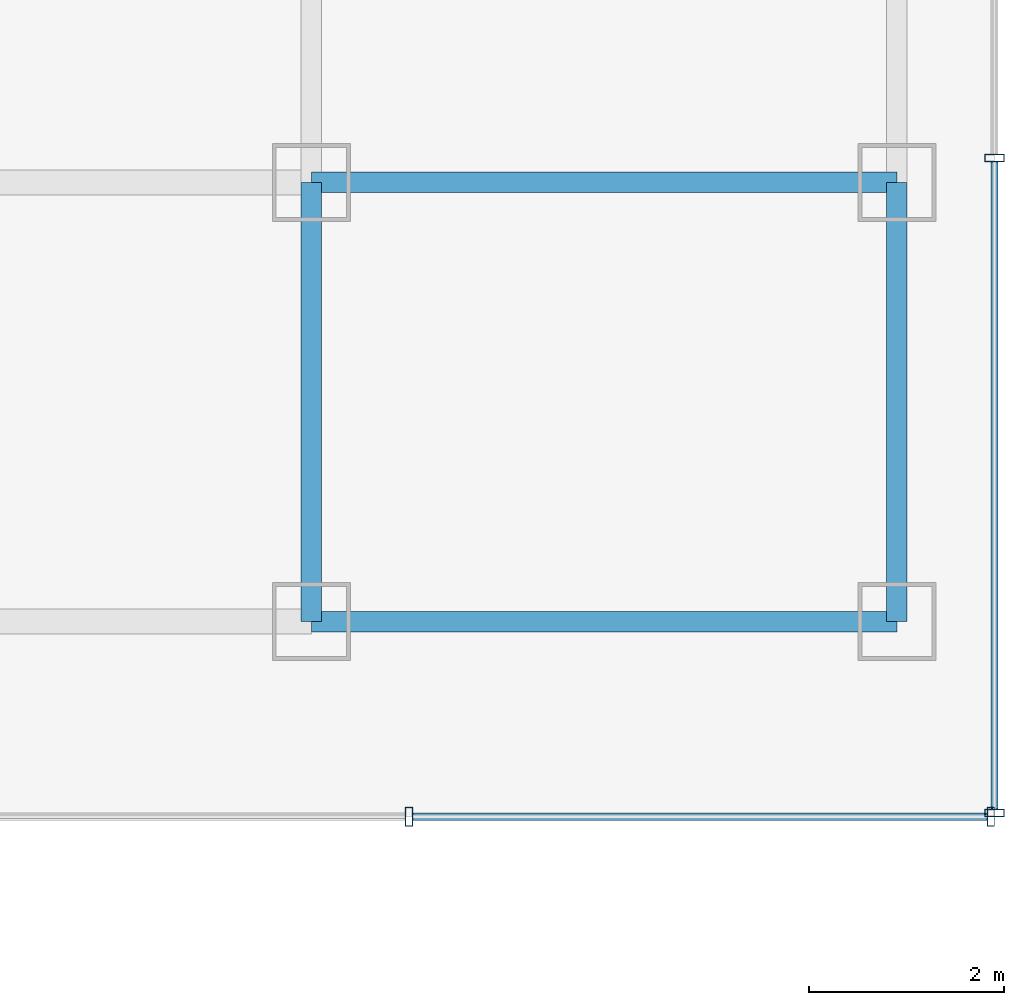
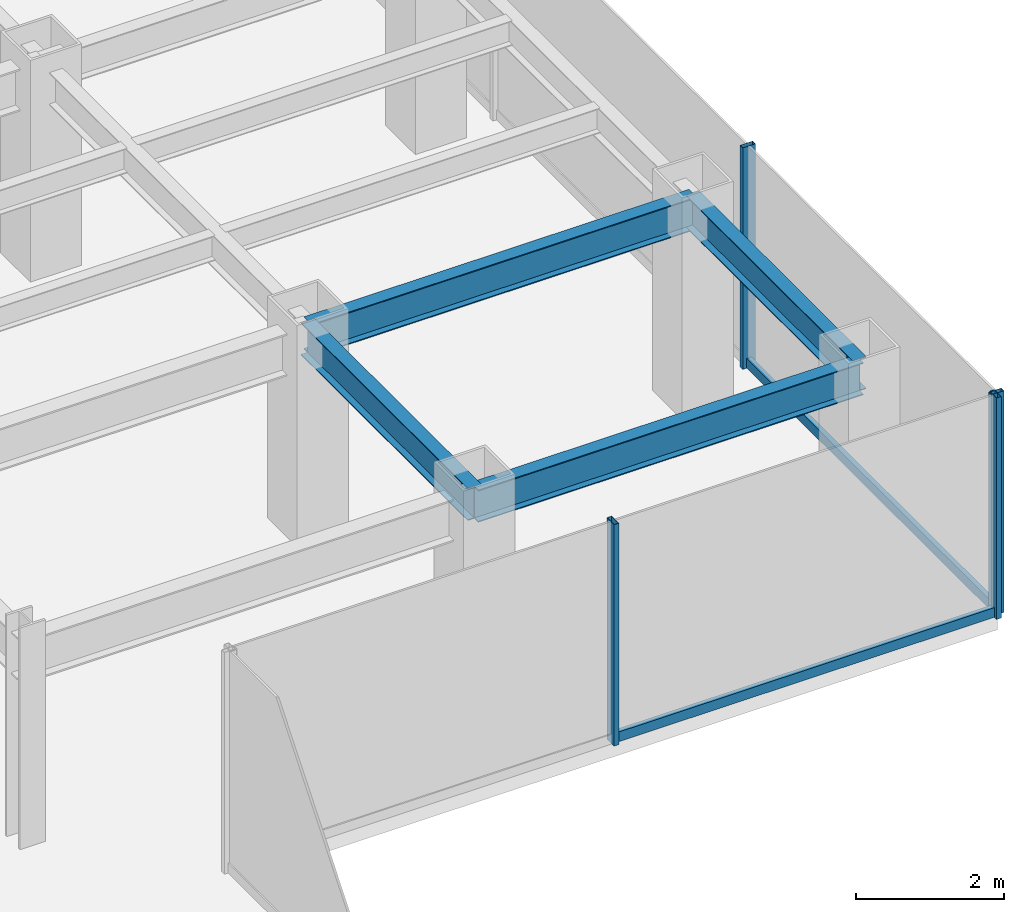
# One storey, part 10 of 26: 6 members, 4 beams, 2 elements without a shape of their own.
"""IFC4 building model written with IfcOpenShell, lengths in metres."""

from ifc_helpers import new_model, si_unit, derived_unit, direction, frame, origin, origin_2d, place, context, subcontext, project, spatial, hollow_rectangle, i_section, extrude, source, transform, mapped, material, material_profile, profile_set, type_object, element, aggregate, save


model = new_model("IFC4")

# Units and contexts
model_context = context("Model", 3, precision=1e-05, world=origin(), true_north=direction((0.0, 1.0)))
body_context = subcontext(model_context, "Body", "Model", "MODEL_VIEW")
ifc_project = project(units=[si_unit("LENGTHUNIT", "METRE"), si_unit("AREAUNIT", "SQUARE_METRE"), si_unit("VOLUMEUNIT", "CUBIC_METRE"), si_unit("PLANEANGLEUNIT", "RADIAN"), si_unit("MASSUNIT", "GRAM", prefix="KILO"), derived_unit("THERMALTRANSMITTANCEUNIT", [(si_unit("POWERUNIT", "WATT"), 1), (si_unit("LENGTHUNIT", "METRE"), -2), (si_unit("THERMODYNAMICTEMPERATUREUNIT", "KELVIN"), -1)])], contexts=[model_context])

# Site, building, storey
site_placement = place(None, origin())
site = spatial("IfcSite", under=ifc_project, at=site_placement, CompositionType="ELEMENT")
building_placement = place(site_placement, origin())
building = spatial("IfcBuilding", under=site, at=building_placement, Name="Skarnbrae Concourse Arena and Tower", CompositionType="ELEMENT")
storey_placement = place(building_placement, frame((0.0, 0.0, 132.449951171875)))
storey = spatial("IfcBuildingStorey", under=building, at=storey_placement, Name="L33", CompositionType="ELEMENT", Elevation=132.449951171875)

# Beams
ifc_material_1 = material(Name="Steel CSA G40.21 350W", Category="steel")
ifc_material_profile_1 = material_profile(ifc_material_1, i_section(OverallWidth=0.208984375, OverallDepth=0.532958984375, WebThickness=0.01025390625, FlangeThickness=0.015625, at=origin_2d()), Name="W530X92")
ifc_profile_set_1 = profile_set([ifc_material_profile_1], Name="Steel CSA G40.21 350W")
beam_type = type_object("IfcBeamType", Name="BM-SPAN-W530X92", PredefinedType="SPANDREL", material=ifc_profile_set_1)
shared_shape_1 = source(origin(), body_context, "Body", "SweptSolid", [
    extrude(i_section(OverallWidth=0.208984375, OverallDepth=0.532958984375, WebThickness=0.01025390625, FlangeThickness=0.015625, at=origin_2d()), origin(), (0.0, 0.0, 1.0), 6.0),
])
for number, where, z_axis, x_axis, name in (
    (1, (49.0, 9.5, 3.08349609375), (1.0, 0.0, 0.0), (0.0, 1.0, 0.0), "L33 Perimeter spandrel Y9.5-3"),
    (2, (49.0, 14.0, 3.08349609375), (1.0, 0.0, 0.0), (0.0, 1.0, 0.0), "L33 Perimeter spandrel Y14.0-8"),
):
    element("IfcBeam", number, at=place(storey_placement, frame(where, z_axis=z_axis, x_axis=x_axis)), inside=storey, type_object=beam_type, Name=name, PredefinedType="SPANDREL", context=body_context, shape_type="MappedRepresentation", body=[
        mapped(shared_shape_1, transform((0.0, 0.0, 0.0))),
    ])
shared_shape_2 = source(origin(), body_context, "Body", "SweptSolid", [
    extrude(i_section(OverallWidth=0.208984375, OverallDepth=0.532958984375, WebThickness=0.01025390625, FlangeThickness=0.015625, at=origin_2d()), origin(), (0.0, 0.0, 1.0), 4.5),
])
for number, where, z_axis, x_axis, name in (
    (3, (49.0, 9.5, 3.08349609375), (0.0, 1.0, 0.0), (-1.0, 0.0, 0.0), "L33 Perimeter spandrel X49.0-1"),
    (4, (55.0, 9.5, 3.08349609375), (0.0, 1.0, 0.0), (-1.0, 0.0, 0.0), "L33 Perimeter spandrel X55.0-1"),
):
    element("IfcBeam", number, at=place(storey_placement, frame(where, z_axis=z_axis, x_axis=x_axis)), inside=storey, type_object=beam_type, Name=name, PredefinedType="SPANDREL", context=body_context, shape_type="MappedRepresentation", body=[
        mapped(shared_shape_2, transform((0.0, 0.0, 0.0))),
    ])

# Curtain wall, members
ifc_material_2 = material(Name="Bronze anodised aluminium 6063-T6", Category="aluminium")
curtain_wall_type = type_object("IfcCurtainWallType", Name="CW-SYS-04-MIDZONE", PredefinedType="USERDEFINED", material=ifc_material_2)
curtain_wall_1_placement = place(storey_placement, origin())
curtain_wall_1 = element("IfcCurtainWall", 5, at=curtain_wall_1_placement, inside=storey, type_object=curtain_wall_type, Name="L33 Unitised curtain wall CW-L33-E03", ObjectType="UNITISED CURTAIN WALL", PredefinedType="USERDEFINED")
ifc_material_profile_2 = material_profile(ifc_material_2, hollow_rectangle(XDim=0.074951171875, YDim=0.195068359375, WallThickness=0.00439453125, at=origin_2d()), Name="ALU-MULL-75X195")
ifc_profile_set_2 = profile_set([ifc_material_profile_2], Name="Bronze anodised aluminium 6063-T6")
member_type_1 = type_object("IfcMemberType", Name="CWM-CW-04", PredefinedType="MULLION", material=ifc_profile_set_2)
shared_shape_3 = source(origin(), body_context, "Body", "SweptSolid", [
    extrude(hollow_rectangle(XDim=0.074951171875, YDim=0.195068359375, WallThickness=0.00439453125, at=origin_2d()), origin(), (0.0, 0.0, 1.0), 3.650146484375),
])
member_1_placement = place(storey_placement, frame((50.0, 7.5, 0.0), z_axis=(0.0, 0.0, 1.0), x_axis=(1.0, 0.0, 0.0)))
member_1 = element("IfcMember", 6, at=member_1_placement, type_object=member_type_1, Name="CW-L33-E03 Mullion 2", PredefinedType="MULLION", context=body_context, shape_type="MappedRepresentation", body=[
    mapped(shared_shape_3, transform((0.0, 0.0, 0.0))),
])
member_2_placement = place(storey_placement, frame((55.96240234375, 7.5, 0.0), z_axis=(0.0, 0.0, 1.0), x_axis=(1.0, 0.0, 0.0)))
member_2 = element("IfcMember", 7, at=member_2_placement, type_object=member_type_1, Name="CW-L33-E03 Mullion 3", PredefinedType="MULLION", context=body_context, shape_type="MappedRepresentation", body=[
    mapped(shared_shape_3, transform((0.0, 0.0, 0.0))),
])

curtain_wall_2_placement = place(storey_placement, origin())
curtain_wall_2 = element("IfcCurtainWall", 8, at=curtain_wall_2_placement, inside=storey, type_object=curtain_wall_type, Name="L33 Unitised curtain wall CW-L33-E04", ObjectType="UNITISED CURTAIN WALL", PredefinedType="USERDEFINED")
member_3_placement = place(storey_placement, frame((56.0, 7.53759765625, 0.0), z_axis=(0.0, 0.0, 1.0), x_axis=(0.0, 1.0, 0.0)))
member_3 = element("IfcMember", 9, at=member_3_placement, type_object=member_type_1, Name="CW-L33-E04 Mullion 1", PredefinedType="MULLION", context=body_context, shape_type="MappedRepresentation", body=[
    mapped(shared_shape_3, transform((0.0, 0.0, 0.0))),
])
member_4_placement = place(storey_placement, frame((56.0, 14.25, 0.0), z_axis=(0.0, 0.0, 1.0), x_axis=(0.0, 1.0, 0.0)))
member_4 = element("IfcMember", 10, at=member_4_placement, type_object=member_type_1, Name="CW-L33-E04 Mullion 2", PredefinedType="MULLION", context=body_context, shape_type="MappedRepresentation", body=[
    mapped(shared_shape_3, transform((0.0, 0.0, 0.0))),
])

# Member
ifc_material_profile_3 = material_profile(ifc_material_2, hollow_rectangle(XDim=0.074951171875, YDim=0.159912109375, WallThickness=0.00439453125, at=origin_2d()), Name="ALU-TRAN-75X160")
ifc_profile_set_3 = profile_set([ifc_material_profile_3], Name="Bronze anodised aluminium 6063-T6")
member_type_2 = type_object("IfcMemberType", Name="CWT-CW-04", PredefinedType="USERDEFINED", material=ifc_profile_set_3)
shared_shape_4 = source(origin(), body_context, "Body", "SweptSolid", [
    extrude(hollow_rectangle(XDim=0.074951171875, YDim=0.159912109375, WallThickness=0.00439453125, at=origin_2d()), origin(), (0.0, 0.0, 1.0), 5.887451171875),
])
member_5_placement = place(storey_placement, frame((50.03759765625, 7.5, 0.080078125), z_axis=(1.0, 0.0, 0.0), x_axis=(0.0, 1.0, 0.0)))
member_5 = element("IfcMember", 11, at=member_5_placement, type_object=member_type_2, Name="CW-L33-E03 Transom 2", ObjectType="TRANSOM", PredefinedType="USERDEFINED", context=body_context, shape_type="MappedRepresentation", body=[
    mapped(shared_shape_4, transform((0.0, 0.0, 0.0))),
])

aggregate(curtain_wall_1, [member_1, member_2, member_5])

shared_shape_5 = source(origin(), body_context, "Body", "SweptSolid", [
    extrude(hollow_rectangle(XDim=0.074951171875, YDim=0.159912109375, WallThickness=0.00439453125, at=origin_2d()), origin(), (0.0, 0.0, 1.0), 6.637451171875),
])
member_6_placement = place(storey_placement, frame((56.0, 7.574951171875, 0.080078125), z_axis=(0.0, 1.0, 0.0), x_axis=(-1.0, 0.0, 0.0)))
member_6 = element("IfcMember", 12, at=member_6_placement, type_object=member_type_2, Name="CW-L33-E04 Transom 1", ObjectType="TRANSOM", PredefinedType="USERDEFINED", context=body_context, shape_type="MappedRepresentation", body=[
    mapped(shared_shape_5, transform((0.0, 0.0, 0.0))),
])

aggregate(curtain_wall_2, [member_3, member_4, member_6])

save(model, "model.ifc")
